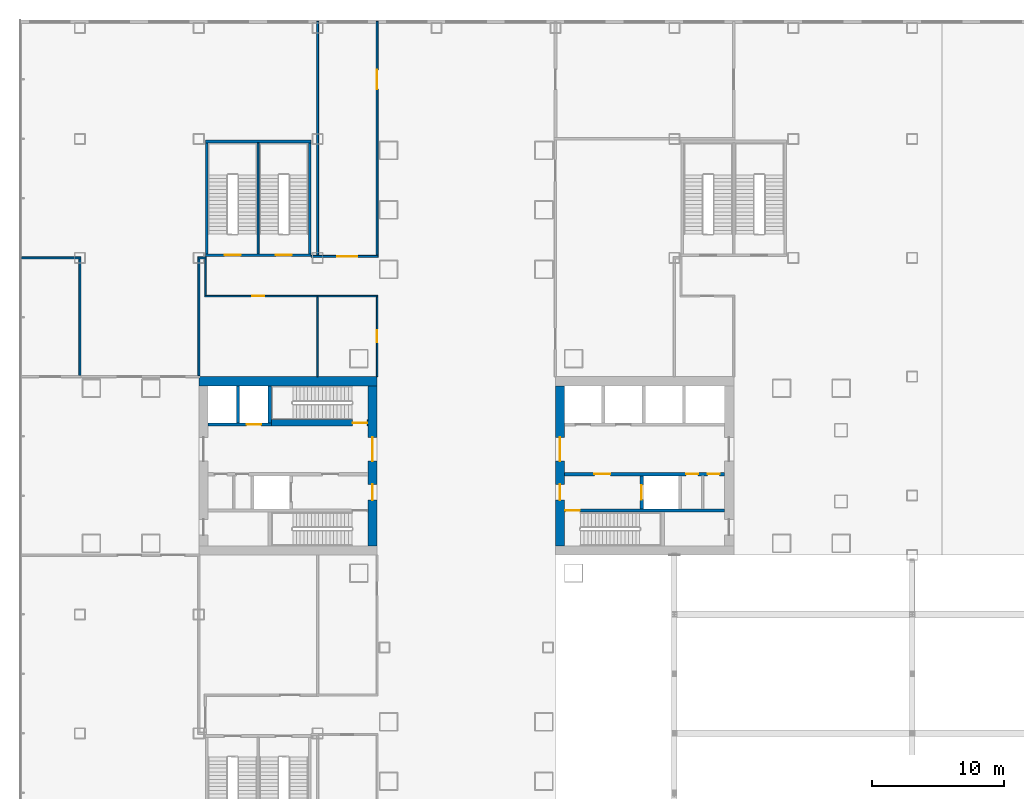
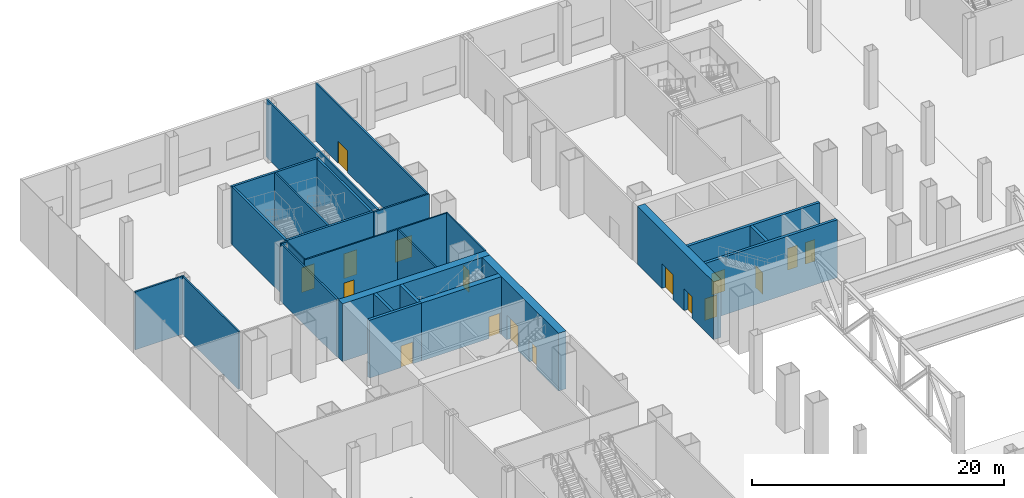
# One storey, part 19 of 33: 26 walls, 17 doors, 17 openings.
"""IFC4 building model written with IfcOpenShell, lengths in metres."""

from ifc_helpers import new_model, si_unit, direction, frame, frame_2d, origin, place, context, subcontext, project, spatial, rectangle, extrude, material, layer, layer_set, type_object, element, fill, save


model = new_model("IFC4")

# Units and contexts
model_context = context("Model", 3, precision=1e-05, world=origin(), true_north=direction((0.0, 1.0)))
body_context = subcontext(model_context, "Body", "Model", "MODEL_VIEW")
ifc_project = project(units=[si_unit("LENGTHUNIT", "METRE"), si_unit("AREAUNIT", "SQUARE_METRE"), si_unit("VOLUMEUNIT", "CUBIC_METRE"), si_unit("PLANEANGLEUNIT", "RADIAN"), si_unit("MASSUNIT", "GRAM", prefix="KILO")], contexts=[model_context])

# Site, building, storey
site_placement = place(None, origin())
site = spatial("IfcSite", under=ifc_project, at=site_placement, CompositionType="ELEMENT")
building_placement = place(site_placement, origin())
building = spatial("IfcBuilding", under=site, at=building_placement, Name="Shamsa Quay Exchange Towers", CompositionType="ELEMENT")
storey_placement = place(building_placement, frame((0.0, 0.0, 6.5)))
storey = spatial("IfcBuildingStorey", under=building, at=storey_placement, Name="L01", CompositionType="ELEMENT", Elevation=6.5)

# Wall, openings, doors
ifc_material_1 = material(Name="Concrete C80/95", Category="concrete")
ifc_layer_1 = layer(ifc_material_1, 0.699951171875)
ifc_layer_set_1 = layer_set([ifc_layer_1], Name="CORE WALL 700 C80/95")
wall_type_1 = type_object("IfcWallType", Name="CORE WALL 700 C80/95", PredefinedType="SHEAR", material=ifc_layer_set_1)
wall_1_placement = place(storey_placement, frame((-26.64990234375, 6.050048828125, 0.0), z_axis=(0.0, 0.0, 1.0), x_axis=(0.0, -1.0, 0.0)))
wall_1 = element("IfcWall", 1, at=wall_1_placement, inside=storey, type_object=wall_type_1, Name="Core wall T1A-L01-PF", PredefinedType="SHEAR", context=body_context, shape_type="SweptSolid", body=[
    extrude(rectangle(XDim=12.10009765625, YDim=0.699951171875, at=frame_2d((6.050048828125, 0.0))), origin(), (0.0, 0.0, 1.0), 5.60009765625),
])
opening_1_placement = place(wall_1_placement, frame((7.449951171875, 0.0, 0.0)))
opening_1 = element("IfcOpeningElement", 2, at=opening_1_placement, cuts=wall_1, Name="Opening T1A-L01-FD01", PredefinedType="OPENING", context=body_context, shape_type="SweptSolid", body=[
    extrude(rectangle(XDim=1.199951171875, YDim=2.10009765625, at=frame_2d((0.60009765625, 1.050048828125))), frame((0.0, 0.35986328125, 0.0), z_axis=(0.0, -1.0, 0.0), x_axis=(1.0, 0.0, 0.0)), (0.0, 0.0, 1.0), 0.719970703125),
])
opening_2_placement = place(wall_1_placement, frame((3.89990234375, 0.0, 0.0)))
opening_2 = element("IfcOpeningElement", 3, at=opening_2_placement, cuts=wall_1, Name="Opening T1A-L01-LBD02", PredefinedType="OPENING", context=body_context, shape_type="SweptSolid", body=[
    extrude(rectangle(XDim=1.800048828125, YDim=2.39990234375, at=frame_2d((0.89990234375, 1.199951171875))), frame((0.0, 0.35986328125, 0.0), z_axis=(0.0, -1.0, 0.0), x_axis=(1.0, 0.0, 0.0)), (0.0, 0.0, 1.0), 0.719970703125),
])
ifc_material_2 = material(Name="Steel, fire rated", Category="steel")
door_type_1 = type_object("IfcDoorType", Name="FIRE SERVICE LOBBY DOOR 1200", OperationType="SINGLE_SWING_LEFT", PredefinedType="DOOR", material=ifc_material_2)
door_1_placement = place(opening_1_placement, origin())
door_1 = element("IfcDoor", 4, at=door_1_placement, inside=storey, type_object=door_type_1, Name="T1A-L01-FD01", OperationType="SINGLE_SWING_RIGHT", OverallHeight=2.10009765625, OverallWidth=1.199951171875, PredefinedType="DOOR", context=body_context, shape_type="SweptSolid", body=[
    extrude(rectangle(XDim=1.199951171875, YDim=2.10009765625, at=frame_2d((0.60009765625, 1.050048828125))), frame((0.0, 0.02490234375, 0.0), z_axis=(0.0, -1.0, 0.0), x_axis=(1.0, 0.0, 0.0)), (0.0, 0.0, 1.0), 0.050048828125),
])
fill(opening_1, door_1)
door_type_2 = type_object("IfcDoorType", Name="LIFT LOBBY DOOR PAIR 1800", OperationType="DOUBLE_DOOR_SINGLE_SWING", PredefinedType="DOOR", material=ifc_material_2)
door_2_placement = place(opening_2_placement, origin())
door_2 = element("IfcDoor", 5, at=door_2_placement, inside=storey, type_object=door_type_2, Name="T1A-L01-LBD02", OperationType="DOUBLE_DOOR_SINGLE_SWING", OverallHeight=2.39990234375, OverallWidth=1.800048828125, PredefinedType="DOOR", context=body_context, shape_type="SweptSolid", body=[
    extrude(rectangle(XDim=1.800048828125, YDim=2.39990234375, at=frame_2d((0.89990234375, 1.199951171875))), frame((0.0, 0.02490234375, 0.0), z_axis=(0.0, -1.0, 0.0), x_axis=(1.0, 0.0, 0.0)), (0.0, 0.0, 1.0), 0.050048828125),
])
fill(opening_2, door_2)

# Wall
wall_2_placement = place(storey_placement, frame((-40.5, 6.39990234375, 0.0), z_axis=(0.0, 0.0, 1.0), x_axis=(-1.0, 0.0, 0.0)))
element("IfcWall", 6, at=wall_2_placement, inside=storey, type_object=wall_type_1, Name="Core wall T1B-L01-PN", PredefinedType="SHEAR", context=body_context, shape_type="SweptSolid", body=[
    extrude(rectangle(XDim=13.5, YDim=0.699951171875, at=frame_2d((6.75, 0.0))), origin(), (0.0, 0.0, 1.0), 5.60009765625),
])

# Wall, openings, doors
wall_3_placement = place(storey_placement, frame((-40.85009765625, -6.050048828125, 0.0), z_axis=(0.0, 0.0, 1.0), x_axis=(0.0, 1.0, 0.0)))
wall_3 = element("IfcWall", 7, at=wall_3_placement, inside=storey, type_object=wall_type_1, Name="Core wall T1B-L01-PF", PredefinedType="SHEAR", context=body_context, shape_type="SweptSolid", body=[
    extrude(rectangle(XDim=12.10009765625, YDim=0.699951171875, at=frame_2d((6.050048828125, 0.0))), origin(), (0.0, 0.0, 1.0), 5.60009765625),
])
opening_3_placement = place(wall_3_placement, frame((3.449951171875, 0.0, 0.0)))
opening_3 = element("IfcOpeningElement", 8, at=opening_3_placement, cuts=wall_3, Name="Opening T1B-L01-FD01", PredefinedType="OPENING", context=body_context, shape_type="SweptSolid", body=[
    extrude(rectangle(XDim=1.199951171875, YDim=2.10009765625, at=frame_2d((0.60009765625, 1.050048828125))), frame((0.0, 0.35986328125, 0.0), z_axis=(0.0, -1.0, 0.0), x_axis=(1.0, 0.0, 0.0)), (0.0, 0.0, 1.0), 0.719970703125),
])
opening_4_placement = place(wall_3_placement, frame((6.39990234375, 0.0, 0.0)))
opening_4 = element("IfcOpeningElement", 9, at=opening_4_placement, cuts=wall_3, Name="Opening T1B-L01-LBD02", PredefinedType="OPENING", context=body_context, shape_type="SweptSolid", body=[
    extrude(rectangle(XDim=1.800048828125, YDim=2.39990234375, at=frame_2d((0.89990234375, 1.199951171875))), frame((0.0, 0.35986328125, 0.0), z_axis=(0.0, -1.0, 0.0), x_axis=(1.0, 0.0, 0.0)), (0.0, 0.0, 1.0), 0.719970703125),
])
door_3_placement = place(opening_3_placement, origin())
door_3 = element("IfcDoor", 10, at=door_3_placement, inside=storey, type_object=door_type_1, Name="T1B-L01-FD01", OperationType="SINGLE_SWING_LEFT", OverallHeight=2.10009765625, OverallWidth=1.199951171875, PredefinedType="DOOR", context=body_context, shape_type="SweptSolid", body=[
    extrude(rectangle(XDim=1.199951171875, YDim=2.10009765625, at=frame_2d((0.60009765625, 1.050048828125))), frame((0.0, 0.02490234375, 0.0), z_axis=(0.0, -1.0, 0.0), x_axis=(1.0, 0.0, 0.0)), (0.0, 0.0, 1.0), 0.050048828125),
])
fill(opening_3, door_3)
door_4_placement = place(opening_4_placement, origin())
door_4 = element("IfcDoor", 11, at=door_4_placement, inside=storey, type_object=door_type_2, Name="T1B-L01-LBD02", OperationType="DOUBLE_DOOR_SINGLE_SWING", OverallHeight=2.39990234375, OverallWidth=1.800048828125, PredefinedType="DOOR", context=body_context, shape_type="SweptSolid", body=[
    extrude(rectangle(XDim=1.800048828125, YDim=2.39990234375, at=frame_2d((0.89990234375, 1.199951171875))), frame((0.0, 0.02490234375, 0.0), z_axis=(0.0, -1.0, 0.0), x_axis=(1.0, 0.0, 0.0)), (0.0, 0.0, 1.0), 0.050048828125),
])
fill(opening_4, door_4)

# Wall, opening, door
ifc_material_3 = material(Name="Laminated fire-resisting glass in a metal frame", Category="glass")
ifc_layer_2 = layer(ifc_material_3, 0.125)
ifc_layer_set_2 = layer_set([ifc_layer_2], Name="Glazed partition 125 mm EI 60")
wall_type_2 = type_object("IfcWallType", Name="Glazed partition 125 mm EI 60", PredefinedType="PARTITIONING", material=ifc_layer_set_2)
wall_4_placement = place(storey_placement, frame((-40.5, 6.75, 0.0), z_axis=(0.0, 0.0, 1.0), x_axis=(0.0, 1.0, 0.0)))
wall_4 = element("IfcWall", 12, at=wall_4_placement, inside=storey, type_object=wall_type_2, Name="Partition PD-L01-W06", PredefinedType="PARTITIONING", context=body_context, shape_type="SweptSolid", body=[
    extrude(rectangle(XDim=6.037109375, YDim=0.125, at=frame_2d((3.0185546875, 0.0))), origin(), (0.0, 0.0, 1.0), 5.60009765625),
])
opening_5_placement = place(wall_4_placement, frame((2.599853515625, 0.0, 0.0)))
opening_5 = element("IfcOpeningElement", 13, at=opening_5_placement, cuts=wall_4, Name="Opening PD-L01-D11", PredefinedType="OPENING", context=body_context, shape_type="SweptSolid", body=[
    extrude(rectangle(XDim=0.89990234375, YDim=2.10009765625, at=frame_2d((0.449951171875, 1.050048828125))), frame((0.0, 0.072509765625, 0.0), z_axis=(0.0, -1.0, 0.0), x_axis=(1.0, 0.0, 0.0)), (0.0, 0.0, 1.0), 0.14501953125),
])
ifc_material_4 = material(Name="Timber door leaf in a metal frame", Category="wood")
door_type_3 = type_object("IfcDoorType", Name="Door 900x2100 FD30S", OperationType="NOTDEFINED", PredefinedType="DOOR", material=ifc_material_4)
door_5_placement = place(opening_5_placement, origin())
door_5 = element("IfcDoor", 14, at=door_5_placement, inside=storey, type_object=door_type_3, Name="Door PD-L01-D11", OperationType="SINGLE_SWING_LEFT", OverallHeight=2.10009765625, OverallWidth=0.89990234375, PredefinedType="DOOR", context=body_context, shape_type="SweptSolid", body=[
    extrude(rectangle(XDim=0.89990234375, YDim=2.10009765625, at=frame_2d((0.449951171875, 1.050048828125))), frame((0.0, 0.02490234375, 0.0), z_axis=(0.0, -1.0, 0.0), x_axis=(1.0, 0.0, 0.0)), (0.0, 0.0, 1.0), 0.050048828125),
])
fill(opening_5, door_5)

wall_5_placement = place(storey_placement, frame((-40.4375, 12.849609375, 0.0), z_axis=(0.0, 0.0, 1.0), x_axis=(-1.0, 0.0, 0.0)))
wall_5 = element("IfcWall", 15, at=wall_5_placement, inside=storey, type_object=wall_type_2, Name="Partition PD-L01-W25", PredefinedType="PARTITIONING", context=body_context, shape_type="SweptSolid", body=[
    extrude(rectangle(XDim=13.125, YDim=0.125, at=frame_2d((6.5625, 0.0))), origin(), (0.0, 0.0, 1.0), 5.60009765625),
])
opening_6_placement = place(wall_5_placement, frame((8.612548828125, 0.0, 0.0)))
opening_6 = element("IfcOpeningElement", 16, at=opening_6_placement, cuts=wall_5, Name="Opening PD-L01-D12", PredefinedType="OPENING", context=body_context, shape_type="SweptSolid", body=[
    extrude(rectangle(XDim=0.89990234375, YDim=2.10009765625, at=frame_2d((0.449951171875, 1.050048828125))), frame((0.0, 0.072509765625, 0.0), z_axis=(0.0, -1.0, 0.0), x_axis=(1.0, 0.0, 0.0)), (0.0, 0.0, 1.0), 0.14501953125),
])
door_6_placement = place(opening_6_placement, origin())
door_6 = element("IfcDoor", 17, at=door_6_placement, inside=storey, type_object=door_type_3, Name="Door PD-L01-D12", OperationType="SINGLE_SWING_LEFT", OverallHeight=2.10009765625, OverallWidth=0.89990234375, PredefinedType="DOOR", context=body_context, shape_type="SweptSolid", body=[
    extrude(rectangle(XDim=0.89990234375, YDim=2.10009765625, at=frame_2d((0.449951171875, 1.050048828125))), frame((0.0, 0.02490234375, 0.0), z_axis=(0.0, -1.0, 0.0), x_axis=(1.0, 0.0, 0.0)), (0.0, 0.0, 1.0), 0.050048828125),
])
fill(opening_6, door_6)

# Walls
wall_6_placement = place(storey_placement, frame((-53.5, 12.912109375, 0.0), z_axis=(0.0, 0.0, 1.0), x_axis=(0.0, 1.0, 0.0)))
element("IfcWall", 18, at=wall_6_placement, inside=storey, type_object=wall_type_2, Name="Partition PD-L01-W26", PredefinedType="PARTITIONING", context=body_context, shape_type="SweptSolid", body=[
    extrude(rectangle(XDim=2.762939453125, YDim=0.125, at=frame_2d((1.38134765625, 0.0))), origin(), (0.0, 0.0, 1.0), 5.60009765625),
])
wall_7_placement = place(storey_placement, frame((-45.0, 6.75, 0.0), z_axis=(0.0, 0.0, 1.0), x_axis=(0.0, 1.0, 0.0)))
element("IfcWall", 19, at=wall_7_placement, inside=storey, type_object=wall_type_2, Name="Partition PD-L01-W67", PredefinedType="PARTITIONING", context=body_context, shape_type="SweptSolid", body=[
    extrude(rectangle(XDim=6.037109375, YDim=0.125, at=frame_2d((3.0185546875, 0.0))), origin(), (0.0, 0.0, 1.0), 5.60009765625),
])

# Wall, opening, door
ifc_material_5 = material(Name="Gypsum board partition on metal studs")
ifc_layer_3 = layer(ifc_material_5, 0.14990234375)
ifc_layer_set_3 = layer_set([ifc_layer_3], Name="Partition 150 mm EI 60")
wall_type_3 = type_object("IfcWallType", Name="Partition 150 mm EI 60", PredefinedType="PARTITIONING", material=ifc_layer_set_3)
wall_8_placement = place(storey_placement, frame((-40.5, 33.655029296875, 0.0), z_axis=(0.0, 0.0, 1.0), x_axis=(0.0, -1.0, 0.0)))
wall_8 = element("IfcWall", 20, at=wall_8_placement, inside=storey, type_object=wall_type_3, Name="Partition PD-L01-W04", PredefinedType="PARTITIONING", context=body_context, shape_type="SweptSolid", body=[
    extrude(rectangle(XDim=17.73046875, YDim=0.14990234375, at=frame_2d((8.865234375, 0.0))), origin(), (0.0, 0.0, 1.0), 5.60009765625),
])
opening_7_placement = place(wall_8_placement, frame((3.655029296875, 0.0, 0.0)))
opening_7 = element("IfcOpeningElement", 21, at=opening_7_placement, cuts=wall_8, Name="Opening PD-L01-D14", PredefinedType="OPENING", context=body_context, shape_type="SweptSolid", body=[
    extrude(rectangle(XDim=1.5, YDim=2.10009765625, at=frame_2d((0.75, 1.050048828125))), frame((0.0, 0.0849609375, 0.0), z_axis=(0.0, -1.0, 0.0), x_axis=(1.0, 0.0, 0.0)), (0.0, 0.0, 1.0), 0.169921875),
])
door_type_4 = type_object("IfcDoorType", Name="Door 1500x2100 FD30S pair", OperationType="NOTDEFINED", PredefinedType="DOOR", material=ifc_material_4)
door_7_placement = place(opening_7_placement, origin())
door_7 = element("IfcDoor", 22, at=door_7_placement, inside=storey, type_object=door_type_4, Name="Door PD-L01-D14", OperationType="DOUBLE_DOOR_SINGLE_SWING", OverallHeight=2.10009765625, OverallWidth=1.5, PredefinedType="DOOR", context=body_context, shape_type="SweptSolid", body=[
    extrude(rectangle(XDim=1.5, YDim=2.10009765625, at=frame_2d((0.75, 1.050048828125))), frame((0.0, 0.02490234375, 0.0), z_axis=(0.0, -1.0, 0.0), x_axis=(1.0, 0.0, 0.0)), (0.0, 0.0, 1.0), 0.050048828125),
])
fill(opening_7, door_7)

wall_9_placement = place(storey_placement, frame((-40.425048828125, 15.849609375, 0.0), z_axis=(0.0, 0.0, 1.0), x_axis=(-1.0, 0.0, 0.0)))
wall_9 = element("IfcWall", 23, at=wall_9_placement, inside=storey, type_object=wall_type_3, Name="Partition PD-L01-W22", PredefinedType="PARTITIONING", context=body_context, shape_type="SweptSolid", body=[
    extrude(rectangle(XDim=5.074951171875, YDim=0.14990234375, at=frame_2d((2.53759765625, 0.0))), origin(), (0.0, 0.0, 1.0), 5.60009765625),
])
opening_8_placement = place(wall_9_placement, frame((1.574951171875, 0.0, 0.0)))
opening_8 = element("IfcOpeningElement", 24, at=opening_8_placement, cuts=wall_9, Name="Opening PD-L01-D13", PredefinedType="OPENING", context=body_context, shape_type="SweptSolid", body=[
    extrude(rectangle(XDim=1.5, YDim=2.10009765625, at=frame_2d((0.75, 1.050048828125))), frame((0.0, 0.0849609375, 0.0), z_axis=(0.0, -1.0, 0.0), x_axis=(1.0, 0.0, 0.0)), (0.0, 0.0, 1.0), 0.169921875),
])
door_8_placement = place(opening_8_placement, origin())
door_8 = element("IfcDoor", 25, at=door_8_placement, inside=storey, type_object=door_type_4, Name="Door PD-L01-D13", OperationType="DOUBLE_DOOR_SINGLE_SWING", OverallHeight=2.10009765625, OverallWidth=1.5, PredefinedType="DOOR", context=body_context, shape_type="SweptSolid", body=[
    extrude(rectangle(XDim=1.5, YDim=2.10009765625, at=frame_2d((0.75, 1.050048828125))), frame((0.0, 0.02490234375, 0.0), z_axis=(0.0, -1.0, 0.0), x_axis=(1.0, 0.0, 0.0)), (0.0, 0.0, 1.0), 0.050048828125),
])
fill(opening_8, door_8)

# Walls
wall_10_placement = place(storey_placement, frame((-54.0, 6.824951171875, 0.0), z_axis=(0.0, 0.0, 1.0), x_axis=(0.0, 1.0, 0.0)))
element("IfcWall", 26, at=wall_10_placement, inside=storey, type_object=wall_type_3, Name="Partition PD-L01-W41", PredefinedType="PARTITIONING", context=body_context, shape_type="SweptSolid", body=[
    extrude(rectangle(XDim=8.85009765625, YDim=0.14990234375, at=frame_2d((4.425048828125, 0.0))), origin(), (0.0, 0.0, 1.0), 5.60009765625),
])
wall_11_placement = place(storey_placement, frame((-45.0, 15.924560546875, 0.0), z_axis=(0.0, 0.0, 1.0), x_axis=(0.0, 1.0, 0.0)))
element("IfcWall", 27, at=wall_11_placement, inside=storey, type_object=wall_type_3, Name="Partition PD-L01-W46", PredefinedType="PARTITIONING", context=body_context, shape_type="SweptSolid", body=[
    extrude(rectangle(XDim=17.73046875, YDim=0.14990234375, at=frame_2d((8.865234375, 0.0))), origin(), (0.0, 0.0, 1.0), 5.60009765625),
])
wall_12_placement = place(storey_placement, frame((-67.405029296875, 15.75, 0.0)))
element("IfcWall", 28, at=wall_12_placement, inside=storey, type_object=wall_type_3, Name="Partition PD-L01-W47", PredefinedType="PARTITIONING", context=body_context, shape_type="SweptSolid", body=[
    extrude(rectangle(XDim=4.47998046875, YDim=0.14990234375, at=frame_2d((2.239990234375, 0.0))), origin(), (0.0, 0.0, 1.0), 5.60009765625),
])
wall_13_placement = place(storey_placement, frame((-54.074951171875, 15.75, 0.0)))
element("IfcWall", 29, at=wall_13_placement, inside=storey, type_object=wall_type_3, Name="Partition PD-L01-W48", PredefinedType="PARTITIONING", context=body_context, shape_type="SweptSolid", body=[
    extrude(rectangle(XDim=0.637451171875, YDim=0.14990234375, at=frame_2d((0.31884765625, 0.0))), origin(), (0.0, 0.0, 1.0), 5.60009765625),
])
wall_14_placement = place(storey_placement, frame((-63.0, 15.675048828125, 0.0), z_axis=(0.0, 0.0, 1.0), x_axis=(0.0, -1.0, 0.0)))
element("IfcWall", 30, at=wall_14_placement, inside=storey, type_object=wall_type_3, Name="Partition PD-L01-W52", PredefinedType="PARTITIONING", context=body_context, shape_type="SweptSolid", body=[
    extrude(rectangle(XDim=8.85009765625, YDim=0.14990234375, at=frame_2d((4.425048828125, 0.0))), origin(), (0.0, 0.0, 1.0), 5.60009765625),
])

# Wall, opening, door
ifc_material_6 = material(Name="Concrete C50/60", Category="concrete")
ifc_layer_4 = layer(ifc_material_6, 0.25)
ifc_layer_set_4 = layer_set([ifc_layer_4], Name="SHAFT WALL 250 C50/60")
wall_type_4 = type_object("IfcWallType", Name="SHAFT WALL 250 C50/60", PredefinedType="SHEAR", material=ifc_layer_set_4)
wall_15_placement = place(storey_placement, frame((-14.199951171875, -3.375, 0.0), z_axis=(0.0, 0.0, 1.0), x_axis=(-1.0, 0.0, 0.0)))
wall_15 = element("IfcWall", 31, at=wall_15_placement, inside=storey, type_object=wall_type_4, Name="Shaft wall T1A-L01-STL", PredefinedType="SHEAR", context=body_context, shape_type="SweptSolid", body=[
    extrude(rectangle(XDim=12.10009765625, YDim=0.25, at=frame_2d((6.050048828125, 0.0))), origin(), (0.0, 0.0, 1.0), 5.60009765625),
])
opening_9_placement = place(wall_15_placement, frame((10.949951171875, 0.0, 0.0)))
opening_9 = element("IfcOpeningElement", 32, at=opening_9_placement, cuts=wall_15, Name="Opening T1A-L01-SD05", PredefinedType="OPENING", context=body_context, shape_type="SweptSolid", body=[
    extrude(rectangle(XDim=1.10009765625, YDim=2.10009765625, at=frame_2d((0.550048828125, 1.050048828125))), frame((0.0, 0.135009765625, 0.0), z_axis=(0.0, -1.0, 0.0), x_axis=(1.0, 0.0, 0.0)), (0.0, 0.0, 1.0), 0.27001953125),
])
door_type_5 = type_object("IfcDoorType", Name="STAIR DOOR 1100", OperationType="SINGLE_SWING_LEFT", PredefinedType="DOOR", material=ifc_material_2)
door_9_placement = place(opening_9_placement, origin())
door_9 = element("IfcDoor", 33, at=door_9_placement, inside=storey, type_object=door_type_5, Name="T1A-L01-SD05", OperationType="SINGLE_SWING_RIGHT", OverallHeight=2.10009765625, OverallWidth=1.10009765625, PredefinedType="DOOR", context=body_context, shape_type="SweptSolid", body=[
    extrude(rectangle(XDim=1.10009765625, YDim=2.10009765625, at=frame_2d((0.550048828125, 1.050048828125))), frame((0.0, 0.02490234375, 0.0), z_axis=(0.0, -1.0, 0.0), x_axis=(1.0, 0.0, 0.0)), (0.0, 0.0, 1.0), 0.050048828125),
])
fill(opening_9, door_9)

# Wall, openings, doors
wall_16_placement = place(storey_placement, frame((-14.199951171875, -0.625, 0.0), z_axis=(0.0, 0.0, 1.0), x_axis=(-1.0, 0.0, 0.0)))
wall_16 = element("IfcWall", 34, at=wall_16_placement, inside=storey, type_object=wall_type_4, Name="Shaft wall T1A-L01-B", PredefinedType="SHEAR", context=body_context, shape_type="SweptSolid", body=[
    extrude(rectangle(XDim=12.10009765625, YDim=0.25, at=frame_2d((6.050048828125, 0.0))), origin(), (0.0, 0.0, 1.0), 5.60009765625),
])
opening_10_placement = place(wall_16_placement, frame((8.64990234375, 0.0, 0.0)))
opening_10 = element("IfcOpeningElement", 35, at=opening_10_placement, cuts=wall_16, Name="Opening T1A-L01-FD06", PredefinedType="OPENING", context=body_context, shape_type="SweptSolid", body=[
    extrude(rectangle(XDim=1.199951171875, YDim=2.10009765625, at=frame_2d((0.60009765625, 1.050048828125))), frame((0.0, 0.135009765625, 0.0), z_axis=(0.0, -1.0, 0.0), x_axis=(1.0, 0.0, 0.0)), (0.0, 0.0, 1.0), 0.27001953125),
])
opening_11_placement = place(wall_16_placement, frame((2.0, 0.0, 0.0)))
opening_11 = element("IfcOpeningElement", 36, at=opening_11_placement, cuts=wall_16, Name="Opening T1A-L01-SV07", PredefinedType="OPENING", context=body_context, shape_type="SweptSolid", body=[
    extrude(rectangle(XDim=0.89990234375, YDim=2.10009765625, at=frame_2d((0.449951171875, 1.050048828125))), frame((0.0, 0.135009765625, 0.0), z_axis=(0.0, -1.0, 0.0), x_axis=(1.0, 0.0, 0.0)), (0.0, 0.0, 1.0), 0.27001953125),
])
opening_12_placement = place(wall_16_placement, frame((0.375, 0.0, 0.0)))
opening_12 = element("IfcOpeningElement", 37, at=opening_12_placement, cuts=wall_16, Name="Opening T1A-L01-SV08", PredefinedType="OPENING", context=body_context, shape_type="SweptSolid", body=[
    extrude(rectangle(XDim=0.89990234375, YDim=2.10009765625, at=frame_2d((0.449951171875, 1.050048828125))), frame((0.0, 0.135009765625, 0.0), z_axis=(0.0, -1.0, 0.0), x_axis=(1.0, 0.0, 0.0)), (0.0, 0.0, 1.0), 0.27001953125),
])
door_10_placement = place(opening_10_placement, origin())
door_10 = element("IfcDoor", 38, at=door_10_placement, inside=storey, type_object=door_type_1, Name="T1A-L01-FD06", OperationType="SINGLE_SWING_RIGHT", OverallHeight=2.10009765625, OverallWidth=1.199951171875, PredefinedType="DOOR", context=body_context, shape_type="SweptSolid", body=[
    extrude(rectangle(XDim=1.199951171875, YDim=2.10009765625, at=frame_2d((0.60009765625, 1.050048828125))), frame((0.0, 0.02490234375, 0.0), z_axis=(0.0, -1.0, 0.0), x_axis=(1.0, 0.0, 0.0)), (0.0, 0.0, 1.0), 0.050048828125),
])
fill(opening_10, door_10)
door_type_6 = type_object("IfcDoorType", Name="SERVICE ROOM DOOR 900", OperationType="SINGLE_SWING_LEFT", PredefinedType="DOOR", material=ifc_material_2)
door_11_placement = place(opening_11_placement, origin())
door_11 = element("IfcDoor", 39, at=door_11_placement, inside=storey, type_object=door_type_6, Name="T1A-L01-SV07", OperationType="SINGLE_SWING_LEFT", OverallHeight=2.10009765625, OverallWidth=0.89990234375, PredefinedType="DOOR", context=body_context, shape_type="SweptSolid", body=[
    extrude(rectangle(XDim=0.89990234375, YDim=2.10009765625, at=frame_2d((0.449951171875, 1.050048828125))), frame((0.0, 0.02490234375, 0.0), z_axis=(0.0, -1.0, 0.0), x_axis=(1.0, 0.0, 0.0)), (0.0, 0.0, 1.0), 0.050048828125),
])
fill(opening_11, door_11)
door_12_placement = place(opening_12_placement, origin())
door_12 = element("IfcDoor", 40, at=door_12_placement, inside=storey, type_object=door_type_6, Name="T1A-L01-SV08", OperationType="SINGLE_SWING_LEFT", OverallHeight=2.10009765625, OverallWidth=0.89990234375, PredefinedType="DOOR", context=body_context, shape_type="SweptSolid", body=[
    extrude(rectangle(XDim=0.89990234375, YDim=2.10009765625, at=frame_2d((0.449951171875, 1.050048828125))), frame((0.0, 0.02490234375, 0.0), z_axis=(0.0, -1.0, 0.0), x_axis=(1.0, 0.0, 0.0)), (0.0, 0.0, 1.0), 0.050048828125),
])
fill(opening_12, door_12)

# Wall, opening, door
wall_17_placement = place(storey_placement, frame((-20.47509765625, -3.25, 0.0), z_axis=(0.0, 0.0, 1.0), x_axis=(0.0, 1.0, 0.0)))
wall_17 = element("IfcWall", 41, at=wall_17_placement, inside=storey, type_object=wall_type_4, Name="Shaft wall T1A-L01-FFF", PredefinedType="SHEAR", context=body_context, shape_type="SweptSolid", body=[
    extrude(rectangle(XDim=2.5, YDim=0.25, at=frame_2d((1.25, 0.0))), origin(), (0.0, 0.0, 1.0), 5.60009765625),
])
opening_13_placement = place(wall_17_placement, frame((0.699951171875, 0.0, 0.0)))
opening_13 = element("IfcOpeningElement", 42, at=opening_13_placement, cuts=wall_17, Name="Opening T1A-L01-LDF09", PredefinedType="OPENING", context=body_context, shape_type="SweptSolid", body=[
    extrude(rectangle(XDim=1.10009765625, YDim=2.10009765625, at=frame_2d((0.550048828125, 1.050048828125))), frame((0.0, 0.135009765625, 0.0), z_axis=(0.0, -1.0, 0.0), x_axis=(1.0, 0.0, 0.0)), (0.0, 0.0, 1.0), 0.27001953125),
])
door_type_7 = type_object("IfcDoorType", Name="FIRE SERVICE LANDING DOOR 1100", OperationType="SLIDING_TO_LEFT", PredefinedType="DOOR", material=ifc_material_2)
door_13_placement = place(opening_13_placement, origin())
door_13 = element("IfcDoor", 43, at=door_13_placement, inside=storey, type_object=door_type_7, Name="T1A-L01-LDF09", OperationType="SLIDING_TO_LEFT", OverallHeight=2.10009765625, OverallWidth=1.10009765625, PredefinedType="DOOR", context=body_context, shape_type="SweptSolid", body=[
    extrude(rectangle(XDim=1.10009765625, YDim=2.10009765625, at=frame_2d((0.550048828125, 1.050048828125))), frame((0.0, 0.02490234375, 0.0), z_axis=(0.0, -1.0, 0.0), x_axis=(1.0, 0.0, 0.0)), (0.0, 0.0, 1.0), 0.050048828125),
])
fill(opening_13, door_13)

wall_18_placement = place(storey_placement, frame((-48.5, 3.125, 0.0), z_axis=(0.0, 0.0, 1.0), x_axis=(-1.0, 0.0, 0.0)))
wall_18 = element("IfcWall", 44, at=wall_18_placement, inside=storey, type_object=wall_type_4, Name="Shaft wall T1B-L01-N2", PredefinedType="SHEAR", context=body_context, shape_type="SweptSolid", body=[
    extrude(rectangle(XDim=4.800048828125, YDim=0.25, at=frame_2d((2.39990234375, 0.0))), origin(), (0.0, 0.0, 1.0), 5.60009765625),
])
opening_14_placement = place(wall_18_placement, frame((0.77490234375, 0.0, 0.0)))
opening_14 = element("IfcOpeningElement", 45, at=opening_14_placement, cuts=wall_18, Name="Opening T1B-L01-LD11", PredefinedType="OPENING", context=body_context, shape_type="SweptSolid", body=[
    extrude(rectangle(XDim=1.10009765625, YDim=2.10009765625, at=frame_2d((0.550048828125, 1.050048828125))), frame((0.0, 0.135009765625, 0.0), z_axis=(0.0, -1.0, 0.0), x_axis=(1.0, 0.0, 0.0)), (0.0, 0.0, 1.0), 0.27001953125),
])
door_type_8 = type_object("IfcDoorType", Name="LANDING DOOR 1100", OperationType="SLIDING_TO_LEFT", PredefinedType="DOOR", material=ifc_material_2)
door_14_placement = place(opening_14_placement, origin())
door_14 = element("IfcDoor", 46, at=door_14_placement, inside=storey, type_object=door_type_8, Name="T1B-L01-LD11", OperationType="SLIDING_TO_LEFT", OverallHeight=2.10009765625, OverallWidth=1.10009765625, PredefinedType="DOOR", context=body_context, shape_type="SweptSolid", body=[
    extrude(rectangle(XDim=1.10009765625, YDim=2.10009765625, at=frame_2d((0.550048828125, 1.050048828125))), frame((0.0, 0.02490234375, 0.0), z_axis=(0.0, -1.0, 0.0), x_axis=(1.0, 0.0, 0.0)), (0.0, 0.0, 1.0), 0.050048828125),
])
fill(opening_14, door_14)

# Walls
for number, where, z_axis, x_axis, name in (
    (47, (-48.625, 3.25, 0.0), (0.0, 0.0, 1.0), (0.0, 1.0, 0.0), "Shaft wall T1B-L01-STF2"),
    (48, (-51.02490234375, 3.25, 0.0), (0.0, 0.0, 1.0), (0.0, 1.0, 0.0), "Shaft wall T1B-L01-D0"),
):
    element("IfcWall", number, at=place(storey_placement, frame(where, z_axis=z_axis, x_axis=x_axis)), inside=storey, type_object=wall_type_4, Name=name, PredefinedType="SHEAR", context=body_context, shape_type="SweptSolid", body=[
        extrude(rectangle(XDim=2.800048828125, YDim=0.25, at=frame_2d((1.39990234375, 0.0))), origin(), (0.0, 0.0, 1.0), 5.60009765625),
    ])

# Wall, opening, door
ifc_layer_5 = layer(ifc_material_6, 0.5)
ifc_layer_set_5 = layer_set([ifc_layer_5], Name="SHAFT WALL 500 C50/60")
wall_type_5 = type_object("IfcWallType", Name="SHAFT WALL 500 C50/60", PredefinedType="SHEAR", material=ifc_layer_set_5)
wall_19_placement = place(storey_placement, frame((-48.5, 3.25, 0.0)))
wall_19 = element("IfcWall", 49, at=wall_19_placement, inside=storey, type_object=wall_type_5, Name="Shaft wall T1B-L01-N", PredefinedType="SHEAR", context=body_context, shape_type="SweptSolid", body=[
    extrude(rectangle(XDim=7.300048828125, YDim=0.5, at=frame_2d((3.64990234375, 0.0))), origin(), (0.0, 0.0, 1.0), 5.60009765625),
])
opening_15_placement = place(wall_19_placement, frame((6.14990234375, 0.0, 0.0)))
opening_15 = element("IfcOpeningElement", 50, at=opening_15_placement, cuts=wall_19, Name="Opening T1B-L01-SD10", PredefinedType="OPENING", context=body_context, shape_type="SweptSolid", body=[
    extrude(rectangle(XDim=1.10009765625, YDim=2.10009765625, at=frame_2d((0.550048828125, 1.050048828125))), frame((0.0, 0.260009765625, 0.0), z_axis=(0.0, -1.0, 0.0), x_axis=(1.0, 0.0, 0.0)), (0.0, 0.0, 1.0), 0.52001953125),
])
door_15_placement = place(opening_15_placement, origin())
door_15 = element("IfcDoor", 51, at=door_15_placement, inside=storey, type_object=door_type_5, Name="T1B-L01-SD10", OperationType="SINGLE_SWING_RIGHT", OverallHeight=2.10009765625, OverallWidth=1.10009765625, PredefinedType="DOOR", context=body_context, shape_type="SweptSolid", body=[
    extrude(rectangle(XDim=1.10009765625, YDim=2.10009765625, at=frame_2d((0.550048828125, 1.050048828125))), frame((0.0, 0.02490234375, 0.0), z_axis=(0.0, -1.0, 0.0), x_axis=(1.0, 0.0, 0.0)), (0.0, 0.0, 1.0), 0.050048828125),
])
fill(opening_15, door_15)

# Wall, openings, doors
ifc_layer_6 = layer(ifc_material_6, 0.199951171875)
ifc_layer_set_6 = layer_set([ifc_layer_6], Name="STAIR ENCLOSURE WALL 200 C50/60")
wall_type_6 = type_object("IfcWallType", Name="STAIR ENCLOSURE WALL 200 C50/60", PredefinedType="SHEAR", material=ifc_layer_set_6)
wall_20_placement = place(storey_placement, frame((-53.5, 15.949951171875, 0.0)))
wall_20 = element("IfcWall", 52, at=wall_20_placement, inside=storey, type_object=wall_type_6, Name="Stair enclosure wall PS1 inward", PredefinedType="SHEAR", context=body_context, shape_type="SweptSolid", body=[
    extrude(rectangle(XDim=8.0, YDim=0.199951171875, at=frame_2d((4.0, 0.0))), origin(), (0.0, 0.0, 1.0), 5.60009765625),
])
opening_16_placement = place(wall_20_placement, frame((1.46240234375, 0.0, 0.0)))
opening_16 = element("IfcOpeningElement", 53, at=opening_16_placement, cuts=wall_20, Name="Opening PS1A-L01-SD01", PredefinedType="OPENING", context=body_context, shape_type="SweptSolid", body=[
    extrude(rectangle(XDim=1.199951171875, YDim=2.39990234375, at=frame_2d((0.60009765625, 1.199951171875))), frame((0.0, 0.10986328125, 0.0), z_axis=(0.0, -1.0, 0.0), x_axis=(1.0, 0.0, 0.0)), (0.0, 0.0, 1.0), 0.219970703125),
])
opening_17_placement = place(wall_20_placement, frame((5.33740234375, 0.0, 0.0)))
opening_17 = element("IfcOpeningElement", 54, at=opening_17_placement, cuts=wall_20, Name="Opening PS1B-L01-SD01", PredefinedType="OPENING", context=body_context, shape_type="SweptSolid", body=[
    extrude(rectangle(XDim=1.199951171875, YDim=2.39990234375, at=frame_2d((0.60009765625, 1.199951171875))), frame((0.0, 0.10986328125, 0.0), z_axis=(0.0, -1.0, 0.0), x_axis=(1.0, 0.0, 0.0)), (0.0, 0.0, 1.0), 0.219970703125),
])
door_type_9 = type_object("IfcDoorType", Name="PODIUM STAIR DOOR 1200", OperationType="SINGLE_SWING_LEFT", PredefinedType="DOOR", material=ifc_material_2)
door_16_placement = place(opening_16_placement, origin())
door_16 = element("IfcDoor", 55, at=door_16_placement, inside=storey, type_object=door_type_9, Name="PS1A-L01-SD01", OperationType="SINGLE_SWING_LEFT", OverallHeight=2.39990234375, OverallWidth=1.199951171875, PredefinedType="DOOR", context=body_context, shape_type="SweptSolid", body=[
    extrude(rectangle(XDim=1.199951171875, YDim=2.39990234375, at=frame_2d((0.60009765625, 1.199951171875))), frame((0.0, 0.02490234375, 0.0), z_axis=(0.0, -1.0, 0.0), x_axis=(1.0, 0.0, 0.0)), (0.0, 0.0, 1.0), 0.050048828125),
])
fill(opening_16, door_16)
door_17_placement = place(opening_17_placement, origin())
door_17 = element("IfcDoor", 56, at=door_17_placement, inside=storey, type_object=door_type_9, Name="PS1B-L01-SD01", OperationType="SINGLE_SWING_RIGHT", OverallHeight=2.39990234375, OverallWidth=1.199951171875, PredefinedType="DOOR", context=body_context, shape_type="SweptSolid", body=[
    extrude(rectangle(XDim=1.199951171875, YDim=2.39990234375, at=frame_2d((0.60009765625, 1.199951171875))), frame((0.0, 0.02490234375, 0.0), z_axis=(0.0, -1.0, 0.0), x_axis=(1.0, 0.0, 0.0)), (0.0, 0.0, 1.0), 0.050048828125),
])
fill(opening_17, door_17)

# Walls
wall_21_placement = place(storey_placement, frame((-53.5, 24.550048828125, 0.0)))
element("IfcWall", 57, at=wall_21_placement, inside=storey, type_object=wall_type_6, Name="Stair enclosure wall PS1 outward", PredefinedType="SHEAR", context=body_context, shape_type="SweptSolid", body=[
    extrude(rectangle(XDim=8.0, YDim=0.199951171875, at=frame_2d((4.0, 0.0))), origin(), (0.0, 0.0, 1.0), 5.60009765625),
])
for number, where, z_axis, x_axis, name in (
    (58, (-53.39990234375, 16.050048828125, 0.0), (0.0, 0.0, 1.0), (0.0, 1.0, 0.0), "Stair enclosure wall PS1 west"),
    (59, (-45.60009765625, 16.050048828125, 0.0), (0.0, 0.0, 1.0), (0.0, 1.0, 0.0), "Stair enclosure wall PS1 east"),
):
    element("IfcWall", number, at=place(storey_placement, frame(where, z_axis=z_axis, x_axis=x_axis)), inside=storey, type_object=wall_type_6, Name=name, PredefinedType="SHEAR", context=body_context, shape_type="SweptSolid", body=[
        extrude(rectangle(XDim=8.39990234375, YDim=0.199951171875, at=frame_2d((4.199951171875, 0.0))), origin(), (0.0, 0.0, 1.0), 5.60009765625),
    ])
ifc_layer_7 = layer(ifc_material_6, 0.14990234375)
ifc_layer_set_7 = layer_set([ifc_layer_7], Name="STAIR PARTITION WALL 150 C50/60")
wall_type_7 = type_object("IfcWallType", Name="STAIR PARTITION WALL 150 C50/60", PredefinedType="SHEAR", material=ifc_layer_set_7)
wall_22_placement = place(storey_placement, frame((-49.5, 16.050048828125, 0.0), z_axis=(0.0, 0.0, 1.0), x_axis=(0.0, 1.0, 0.0)))
element("IfcWall", 60, at=wall_22_placement, inside=storey, type_object=wall_type_7, Name="Stair enclosure wall PS1 between the stairs", PredefinedType="SHEAR", context=body_context, shape_type="SweptSolid", body=[
    extrude(rectangle(XDim=8.39990234375, YDim=0.14990234375, at=frame_2d((4.199951171875, 0.0))), origin(), (0.0, 0.0, 1.0), 5.60009765625),
])

save(model, "model.ifc")
